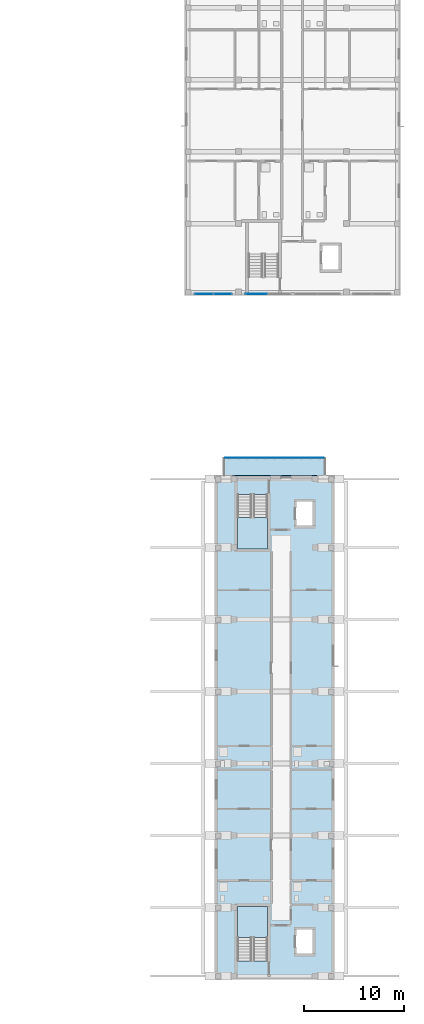
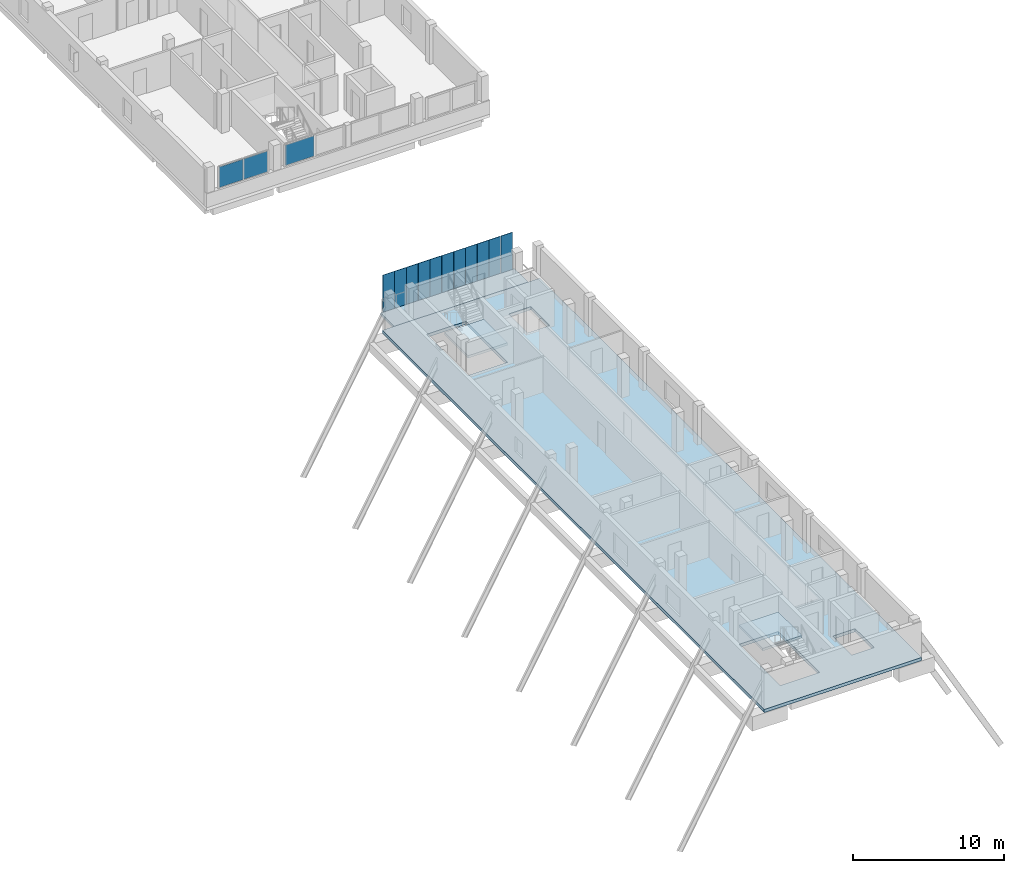
# One storey, part 9 of 34: 14 plates, 4 slabs, 4 elements without a shape of their own.
"""IFC4 building model written with IfcOpenShell, lengths in metres."""

from ifc_helpers import new_model, si_unit, derived_unit, direction, frame, origin, origin_2d, place, context, subcontext, project, spatial, polyline, rectangle, outline, extrude, material, layer, layer_set, type_object, element, aggregate, save


model = new_model("IFC4")

# Units and contexts
model_context = context("Model", 3, precision=1e-05, world=origin(), true_north=direction((0.0, 1.0)))
body_context = subcontext(model_context, "Body", "Model", "MODEL_VIEW")
ifc_project = project(units=[si_unit("LENGTHUNIT", "METRE"), si_unit("AREAUNIT", "SQUARE_METRE"), si_unit("VOLUMEUNIT", "CUBIC_METRE"), si_unit("PLANEANGLEUNIT", "RADIAN"), si_unit("MASSUNIT", "GRAM", prefix="KILO"), derived_unit("THERMALTRANSMITTANCEUNIT", [(si_unit("MASSUNIT", "GRAM", prefix="KILO"), 1), (si_unit("TIMEUNIT", "SECOND"), -3), (si_unit("THERMODYNAMICTEMPERATUREUNIT", "KELVIN"), -1)])], contexts=[model_context])

# Site, building, storey
site_placement = place(None, origin())
site = spatial("IfcSite", under=ifc_project, at=site_placement, CompositionType="ELEMENT")
building_placement = place(site_placement, origin())
building = spatial("IfcBuilding", under=site, at=building_placement, Name="Ochrekiln Boulevard Commons", CompositionType="ELEMENT")
storey_placement = place(building_placement, frame((0.0, 0.0, 27.824951171875)))
storey = spatial("IfcBuildingStorey", under=building, at=storey_placement, Name="L08", CompositionType="ELEMENT", Elevation=27.824951171875)

# Curtain wall, plate
ifc_material_1 = material(Name="Bronze-anodized extruded aluminium 6063-T6", Category="aluminium")
ifc_layer_1 = layer(ifc_material_1, 0.18408203125)
ifc_layer_set_1 = layer_set([ifc_layer_1], Name="Bronze-anodized extruded aluminium 6063-T6")
curtain_wall_type = type_object("IfcCurtainWallType", Name="CW-GABLE-B", PredefinedType="USERDEFINED", material=ifc_layer_set_1)
curtain_wall_1_placement = place(storey_placement, origin())
curtain_wall_1 = element("IfcCurtainWall", 1, at=curtain_wall_1_placement, inside=storey, type_object=curtain_wall_type, Name="Block B L08 Courtyard Glazed Gable Curtain Wall 2", ObjectType="GLAZED CURTAIN WALL", PredefinedType="USERDEFINED")
ifc_material_2 = material(Name="Spectrally selective low-E insulated glazing", Category="glass")
ifc_layer_2 = layer(ifc_material_2, 0.02392578125)
ifc_layer_set_2 = layer_set([ifc_layer_2], Name="Spectrally selective low-E insulated glazing")
plate_type_1 = type_object("IfcPlateType", Name="CWP-GLZ-1", PredefinedType="CURTAIN_PANEL", material=ifc_layer_set_2)
plate_1_placement = place(storey_placement, frame((158.38134765625, 68.570068359375, 1.175048828125), z_axis=(0.0, 0.0, 1.0), x_axis=(1.0, 0.0, 0.0)))
plate_1 = element("IfcPlate", 2, at=plate_1_placement, type_object=plate_type_1, Name="CW-02 panel 1.1", PredefinedType="CURTAIN_PANEL", context=body_context, shape_type="SweptSolid", body=[
    extrude(rectangle(XDim=2.1923828125, YDim=0.02392578125, at=origin_2d()), origin(), (0.0, 0.0, 1.0), 1.64990234375),
])
aggregate(curtain_wall_1, [plate_1])

# Curtain wall, plates
curtain_wall_2_placement = place(storey_placement, origin())
curtain_wall_2 = element("IfcCurtainWall", 3, at=curtain_wall_2_placement, inside=storey, type_object=curtain_wall_type, Name="Block B L08 Courtyard Glazed Gable Curtain Wall 1", ObjectType="GLAZED CURTAIN WALL", PredefinedType="USERDEFINED")
ifc_layer_3 = layer(ifc_material_2, 0.0419921875)
ifc_layer_set_3 = layer_set([ifc_layer_3], Name="Spectrally selective low-E insulated glazing")
plate_type_2 = type_object("IfcPlateType", Name="CWP-GLZ-4", PredefinedType="CURTAIN_PANEL", material=ifc_layer_set_3)
plate_2_placement = place(storey_placement, frame((153.137451171875, 68.570068359375, 1.169921875), z_axis=(0.0, 0.0, 1.0), x_axis=(1.0, 0.0, 0.0)))
plate_2 = element("IfcPlate", 4, at=plate_2_placement, type_object=plate_type_2, Name="CW-02 panel 1.1", PredefinedType="CURTAIN_PANEL", context=body_context, shape_type="SweptSolid", body=[
    extrude(rectangle(XDim=1.81494140625, YDim=0.0419921875, at=origin_2d()), origin(), (0.0, 0.0, 1.0), 1.659912109375),
])
plate_3_placement = place(storey_placement, frame((155.012451171875, 68.570068359375, 1.169921875), z_axis=(0.0, 0.0, 1.0), x_axis=(1.0, 0.0, 0.0)))
plate_3 = element("IfcPlate", 5, at=plate_3_placement, type_object=plate_type_2, Name="CW-02 panel 2.1", PredefinedType="CURTAIN_PANEL", context=body_context, shape_type="SweptSolid", body=[
    extrude(rectangle(XDim=1.81494140625, YDim=0.0419921875, at=origin_2d()), origin(), (0.0, 0.0, 1.0), 1.659912109375),
])
aggregate(curtain_wall_2, [plate_2, plate_3])

# Plates
ifc_layer_4 = layer(ifc_material_1, 0.02587890625)
ifc_layer_set_4 = layer_set([ifc_layer_4], Name="Bronze-anodized extruded aluminium 6063-T6")
plate_type_3 = type_object("IfcPlateType", Name="PLT-SCR-BRZ-2", PredefinedType="USERDEFINED", material=ifc_layer_set_4)
for number, where, z_axis, x_axis, name in (
    (6, (155.699951171875, 52.18994140625, -0.159912109375), (0.0, 0.0, 1.0), (1.0, 0.0, 0.0), "Block C L08 Perforated Bronze Mesh Screen Panel 1"),
    (7, (156.60009765625, 52.18994140625, -0.159912109375), (0.0, 0.0, 1.0), (1.0, 0.0, 0.0), "Block C L08 Perforated Bronze Mesh Screen Panel 2"),
    (8, (157.5, 52.18994140625, -0.159912109375), (0.0, 0.0, 1.0), (1.0, 0.0, 0.0), "Block C L08 Perforated Bronze Mesh Screen Panel 3"),
    (9, (158.39990234375, 52.18994140625, -0.159912109375), (0.0, 0.0, 1.0), (1.0, 0.0, 0.0), "Block C L08 Perforated Bronze Mesh Screen Panel 4"),
    (10, (159.300048828125, 52.18994140625, -0.159912109375), (0.0, 0.0, 1.0), (1.0, 0.0, 0.0), "Block C L08 Perforated Bronze Mesh Screen Panel 5"),
    (11, (160.199951171875, 52.18994140625, -0.159912109375), (0.0, 0.0, 1.0), (1.0, 0.0, 0.0), "Block C L08 Perforated Bronze Mesh Screen Panel 6"),
    (12, (161.10009765625, 52.18994140625, -0.159912109375), (0.0, 0.0, 1.0), (1.0, 0.0, 0.0), "Block C L08 Perforated Bronze Mesh Screen Panel 7"),
    (13, (162.0, 52.18994140625, -0.159912109375), (0.0, 0.0, 1.0), (1.0, 0.0, 0.0), "Block C L08 Perforated Bronze Mesh Screen Panel 8"),
    (14, (162.89990234375, 52.18994140625, -0.159912109375), (0.0, 0.0, 1.0), (1.0, 0.0, 0.0), "Block C L08 Perforated Bronze Mesh Screen Panel 9"),
    (15, (163.800048828125, 52.18994140625, -0.159912109375), (0.0, 0.0, 1.0), (1.0, 0.0, 0.0), "Block C L08 Perforated Bronze Mesh Screen Panel 10"),
    (16, (164.699951171875, 52.18994140625, -0.159912109375), (0.0, 0.0, 1.0), (1.0, 0.0, 0.0), "Block C L08 Perforated Bronze Mesh Screen Panel 11"),
):
    element("IfcPlate", number, at=place(storey_placement, frame(where, z_axis=z_axis, x_axis=x_axis)), inside=storey, type_object=plate_type_3, Name=name, ObjectType="SCREEN", PredefinedType="USERDEFINED", context=body_context, shape_type="SweptSolid", body=[
        extrude(rectangle(XDim=0.8798828125, YDim=0.02587890625, at=origin_2d()), origin(), (0.0, 0.0, 1.0), 3.14990234375),
    ])

# Slab
ifc_material_3 = material(Name="Concrete C35/45", Category="concrete")
ifc_layer_5 = layer(ifc_material_3, 0.219970703125)
ifc_layer_set_5 = layer_set([ifc_layer_5], Name="Concrete C35/45")
slab_type_1 = type_object("IfcSlabType", Name="SLB-BAL-220", PredefinedType="FLOOR", material=ifc_layer_set_5)
slab_1_placement = place(storey_placement, frame((0.0, 0.0, -0.219970703125)))
element("IfcSlab", 17, at=slab_1_placement, inside=storey, type_object=slab_type_1, Name="Block C L08 Screened North Courtyard Balcony Slab", PredefinedType="FLOOR", context=body_context, shape_type="SweptSolid", body=[
    extrude(outline(polyline([(155.10009765625, 50.39990234375), (165.300048828125, 50.39990234375), (165.300048828125, 52.199951171875), (155.10009765625, 52.199951171875), (155.10009765625, 50.39990234375)])), origin(), (0.0, 0.0, 1.0), 0.219970703125),
])

# Stair, slab
stair_type = type_object("IfcStairType", Name="STR-DL-315", PredefinedType="TWO_STRAIGHT_RUN_STAIR", material=ifc_material_3)
stair_1_placement = place(storey_placement, origin())
stair_1 = element("IfcStair", 18, at=stair_1_placement, inside=storey, type_object=stair_type, Name="L08 Enclosed Exit Stair ST-C1", PredefinedType="TWO_STRAIGHT_RUN_STAIR")
ifc_layer_6 = layer(ifc_material_3, 0.199951171875)
ifc_layer_set_6 = layer_set([ifc_layer_6], Name="Concrete C35/45")
slab_type_2 = type_object("IfcSlabType", Name="SLB-LND-200", PredefinedType="LANDING", material=ifc_layer_set_6)
slab_2_placement = place(storey_placement, frame((0.0, 0.0, 1.375)))
slab_2 = element("IfcSlab", 19, at=slab_2_placement, type_object=slab_type_2, Name="ST-C1 landing 1", PredefinedType="LANDING", context=body_context, shape_type="SweptSolid", body=[
    extrude(outline(polyline([(159.5, 4.18994140625), (159.5, 7.320068359375), (156.5, 7.320068359375), (156.5, 4.18994140625), (159.5, 4.18994140625)])), origin(), (0.0, 0.0, 1.0), 0.199951171875),
])
aggregate(stair_1, [slab_2])

stair_2_placement = place(storey_placement, origin())
stair_2 = element("IfcStair", 20, at=stair_2_placement, inside=storey, type_object=stair_type, Name="L08 Enclosed Exit Stair ST-C2", PredefinedType="TWO_STRAIGHT_RUN_STAIR")
slab_3_placement = place(storey_placement, frame((0.0, 0.0, 1.375)))
slab_3 = element("IfcSlab", 21, at=slab_3_placement, type_object=slab_type_2, Name="ST-C2 landing 1", PredefinedType="LANDING", context=body_context, shape_type="SweptSolid", body=[
    extrude(outline(polyline([(156.5, 46.2099609375), (156.5, 43.080078125), (159.5, 43.080078125), (159.5, 46.2099609375), (156.5, 46.2099609375)])), origin(), (0.0, 0.0, 1.0), 0.199951171875),
])
aggregate(stair_2, [slab_3])

# Slab
ifc_layer_7 = layer(ifc_material_3, 0.25)
ifc_layer_set_7 = layer_set([ifc_layer_7], Name="Concrete C35/45")
slab_type_3 = type_object("IfcSlabType", Name="SLB-LOFT-250", PredefinedType="FLOOR", material=ifc_layer_set_7)
slab_4_placement = place(storey_placement, frame((0.0, 0.0, -0.25)))
element("IfcSlab", 22, at=slab_4_placement, inside=storey, type_object=slab_type_3, Name="Block C L08 Reinforced Concrete Floor Slab", PredefinedType="FLOOR", context=body_context, shape_type="SweptSolid", body=[
    extrude(outline(polyline([(154.199951171875, 0.0), (166.199951171875, 0.0), (166.199951171875, 50.39990234375), (154.199951171875, 50.39990234375), (154.199951171875, 0.0)]), holes=[polyline([(159.5, 1.87060546875), (159.5, 7.320068359375), (156.5, 7.320068359375), (156.5, 1.87060546875), (159.5, 1.87060546875)]), polyline([(156.5, 48.529541015625), (156.5, 43.080078125), (159.5, 43.080078125), (159.5, 48.529541015625), (156.5, 48.529541015625)]), polyline([(162.35009765625, 2.550048828125), (164.050048828125, 2.550048828125), (164.050048828125, 5.050048828125), (162.35009765625, 5.050048828125), (162.35009765625, 2.550048828125)]), polyline([(162.35009765625, 45.35009765625), (164.050048828125, 45.35009765625), (164.050048828125, 47.85009765625), (162.35009765625, 47.85009765625), (162.35009765625, 45.35009765625)])]), origin(), (0.0, 0.0, 1.0), 0.25),
])

save(model, "model.ifc")
